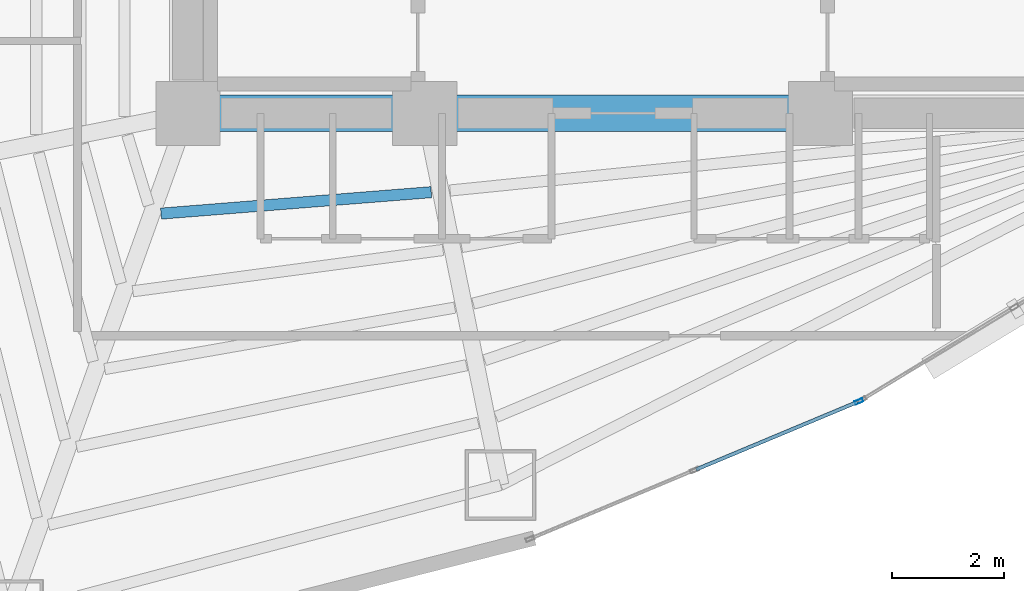
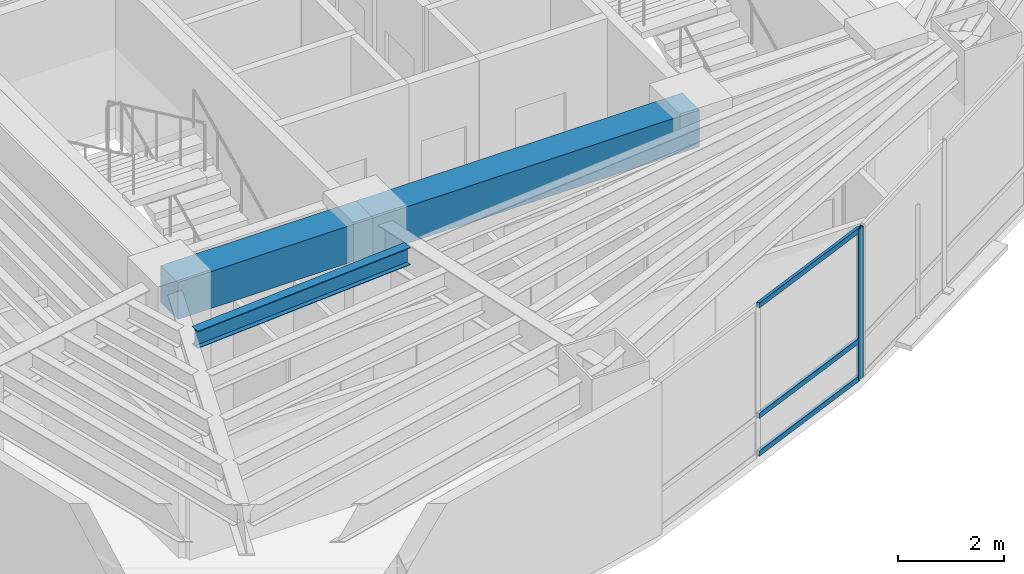
# One storey, part 4 of 18: 4 members, 3 beams, 1 element without a shape of its own.
"""IFC4 building model written with IfcOpenShell, lengths in metres."""

from ifc_helpers import new_model, si_unit, direction, frame, origin, origin_2d, place, context, subcontext, project, spatial, rectangle, hollow_rectangle, i_section, extrude, material, layer, layer_set, material_profile, profile_set, type_object, element, aggregate, save


model = new_model("IFC4")

# Units and contexts
model_context = context("Model", 3, precision=1e-05, world=origin(), true_north=direction((0.0, 1.0)))
body_context = subcontext(model_context, "Body", "Model", "MODEL_VIEW")
ifc_project = project(units=[si_unit("LENGTHUNIT", "METRE"), si_unit("AREAUNIT", "SQUARE_METRE"), si_unit("VOLUMEUNIT", "CUBIC_METRE"), si_unit("PLANEANGLEUNIT", "RADIAN"), si_unit("MASSUNIT", "GRAM", prefix="KILO")], contexts=[model_context])

# Site, building, storey
site_placement = place(None, origin())
site = spatial("IfcSite", under=ifc_project, at=site_placement, CompositionType="ELEMENT")
building_placement = place(site_placement, origin())
building = spatial("IfcBuilding", under=site, at=building_placement, Name="Menara Vayukalpa", CompositionType="ELEMENT")
storey_placement = place(building_placement, frame((0.0, 0.0, 89.10009765625)))
storey = spatial("IfcBuildingStorey", under=building, at=storey_placement, Name="L21", CompositionType="ELEMENT", Elevation=89.10009765625)

# Beams
ifc_material_1 = material(Name="Concrete C60/75", Category="concrete")
ifc_material_profile_1 = material_profile(ifc_material_1, rectangle(XDim=0.64990234375, YDim=0.85009765625, at=origin_2d()), Name="RC 650x850")
ifc_profile_set_1 = profile_set([ifc_material_profile_1], Name="Concrete C60/75")
beam_type_1 = type_object("IfcBeamType", Name="BM-CB1", PredefinedType="BEAM", material=ifc_profile_set_1)
beam_1_placement = place(storey_placement, frame((17.800048828125, 17.199951171875, 3.044921875), z_axis=(1.0, 0.0, 0.0), x_axis=(0.0, 1.0, 0.0)))
element("IfcBeam", 1, at=beam_1_placement, inside=storey, type_object=beam_type_1, Name="L21 Core Tie Beam CBR1", PredefinedType="BEAM", context=body_context, shape_type="SweptSolid", body=[
    extrude(rectangle(XDim=0.64990234375, YDim=0.85009765625, at=origin_2d()), origin(), (0.0, 0.0, 1.0), 4.25),
])
beam_2_placement = place(storey_placement, frame((22.050048828125, 17.199951171875, 3.044921875), z_axis=(1.0, 0.0, 0.0), x_axis=(0.0, 1.0, 0.0)))
element("IfcBeam", 2, at=beam_2_placement, inside=storey, type_object=beam_type_1, Name="L21 Core Tie Beam CBR2", PredefinedType="BEAM", context=body_context, shape_type="SweptSolid", body=[
    extrude(rectangle(XDim=0.64990234375, YDim=0.85009765625, at=origin_2d()), origin(), (0.0, 0.0, 1.0), 7.099853515625),
])
ifc_material_2 = material(Name="Steel S355", Category="steel")
ifc_material_profile_2 = material_profile(ifc_material_2, i_section(OverallWidth=0.199951171875, OverallDepth=0.39990234375, WebThickness=0.008056640625, FlangeThickness=0.012939453125, at=origin_2d()), Name="WF 400x200x8x13")
ifc_profile_set_2 = profile_set([ifc_material_profile_2], Name="Steel S355")
beam_type_2 = type_object("IfcBeamType", Name="BM-SJ2", PredefinedType="JOIST", material=ifc_profile_set_2)
beam_3_placement = place(storey_placement, frame((17.318603515625, 15.40087890625, 3.27001953125), z_axis=(0.996868534468, 0.079076703187, 0.0), x_axis=(-0.079076703187, 0.996868534468, 0.0)))
element("IfcBeam", 3, at=beam_3_placement, inside=storey, type_object=beam_type_2, Name="L21 Secondary Floor Joist SJ07-1", PredefinedType="JOIST", context=body_context, shape_type="SweptSolid", body=[
    extrude(i_section(OverallWidth=0.199951171875, OverallDepth=0.39990234375, WebThickness=0.008056640625, FlangeThickness=0.012939453125, at=origin_2d()), origin(), (0.0, 0.0, 1.0), 4.862548828125),
])

# Curtain wall, members
ifc_material_3 = material(Name="Anodised Terracotta Aluminium Alloy 6063-T6", Category="masonry")
ifc_layer = layer(ifc_material_3, 0.14990234375)
ifc_layer_set = layer_set([ifc_layer], Name="Anodised Terracotta Aluminium Alloy 6063-T6")
curtain_wall_type = type_object("IfcCurtainWallType", Name="CW-CW3", PredefinedType="USERDEFINED", material=ifc_layer_set)
curtain_wall_placement = place(storey_placement, origin())
curtain_wall = element("IfcCurtainWall", 4, at=curtain_wall_placement, inside=storey, type_object=curtain_wall_type, Name="L21 Mid Rise Terracotta Ribbon Curtain Wall CW3 16", ObjectType="UNITISED", PredefinedType="USERDEFINED")
ifc_material_4 = material(Name="Anodised Terracotta Aluminium Alloy 6063-T6", Category="masonry")
ifc_material_profile_3 = material_profile(ifc_material_4, hollow_rectangle(XDim=0.06494140625, YDim=0.14990234375, WallThickness=0.00341796875, at=origin_2d()), Name="ALU 65x150x3.5")
ifc_profile_set_3 = profile_set([ifc_material_profile_3], Name="Anodised Terracotta Aluminium Alloy 6063-T6")
member_type_1 = type_object("IfcMemberType", Name="CWM-CW3", PredefinedType="MULLION", material=ifc_profile_set_3)
member_1_placement = place(storey_placement, frame((29.8359375, 12.0322265625, 0.0), z_axis=(0.0, 0.0, 1.0), x_axis=(-0.38589358437, 0.922543300632, 0.0)))
member_1 = element("IfcMember", 5, at=member_1_placement, type_object=member_type_1, Name="CW3 mullion 3", PredefinedType="MULLION", context=body_context, shape_type="SweptSolid", body=[
    extrude(hollow_rectangle(XDim=0.06494140625, YDim=0.14990234375, WallThickness=0.00341796875, at=origin_2d()), origin(), (0.0, 0.0, 1.0), 3.469970703125),
])
ifc_material_5 = material(Name="Anodised Terracotta Aluminium Alloy 6063-T6", Category="masonry")
ifc_material_profile_4 = material_profile(ifc_material_5, hollow_rectangle(XDim=0.06494140625, YDim=0.1201171875, WallThickness=0.00341796875, at=origin_2d()), Name="ALU 65x120x3.5")
ifc_profile_set_4 = profile_set([ifc_material_profile_4], Name="Anodised Terracotta Aluminium Alloy 6063-T6")
member_type_2 = type_object("IfcMemberType", Name="CWT-CW3", PredefinedType="USERDEFINED", material=ifc_profile_set_4)
member_2_placement = place(storey_placement, frame((26.916748046875, 10.81103515625, 0.032470703125), z_axis=(0.922517812792, 0.385954511673, 0.0), x_axis=(-0.385954511673, 0.922517812792, 0.0)))
member_2 = element("IfcMember", 6, at=member_2_placement, type_object=member_type_2, Name="CW3 transom 2.1", ObjectType="TRANSOM", PredefinedType="USERDEFINED", context=body_context, shape_type="SweptSolid", body=[
    extrude(hollow_rectangle(XDim=0.06494140625, YDim=0.1201171875, WallThickness=0.00341796875, at=origin_2d()), origin(), (0.0, 0.0, 1.0), 3.1318359375),
])
member_3_placement = place(storey_placement, frame((26.916748046875, 10.81103515625, 0.89990234375), z_axis=(0.922517812792, 0.385954511673, 0.0), x_axis=(-0.385954511673, 0.922517812792, 0.0)))
member_3 = element("IfcMember", 7, at=member_3_placement, type_object=member_type_2, Name="CW3 transom 2.2", ObjectType="TRANSOM", PredefinedType="USERDEFINED", context=body_context, shape_type="SweptSolid", body=[
    extrude(hollow_rectangle(XDim=0.06494140625, YDim=0.1201171875, WallThickness=0.00341796875, at=origin_2d()), origin(), (0.0, 0.0, 1.0), 3.1318359375),
])
member_4_placement = place(storey_placement, frame((26.916748046875, 10.81103515625, 3.4375), z_axis=(0.922517812792, 0.385954511673, 0.0), x_axis=(-0.385954511673, 0.922517812792, 0.0)))
member_4 = element("IfcMember", 8, at=member_4_placement, type_object=member_type_2, Name="CW3 transom 2.3", ObjectType="TRANSOM", PredefinedType="USERDEFINED", context=body_context, shape_type="SweptSolid", body=[
    extrude(hollow_rectangle(XDim=0.06494140625, YDim=0.1201171875, WallThickness=0.00341796875, at=origin_2d()), origin(), (0.0, 0.0, 1.0), 3.1318359375),
])
aggregate(curtain_wall, [member_1, member_2, member_3, member_4])

save(model, "model.ifc")
